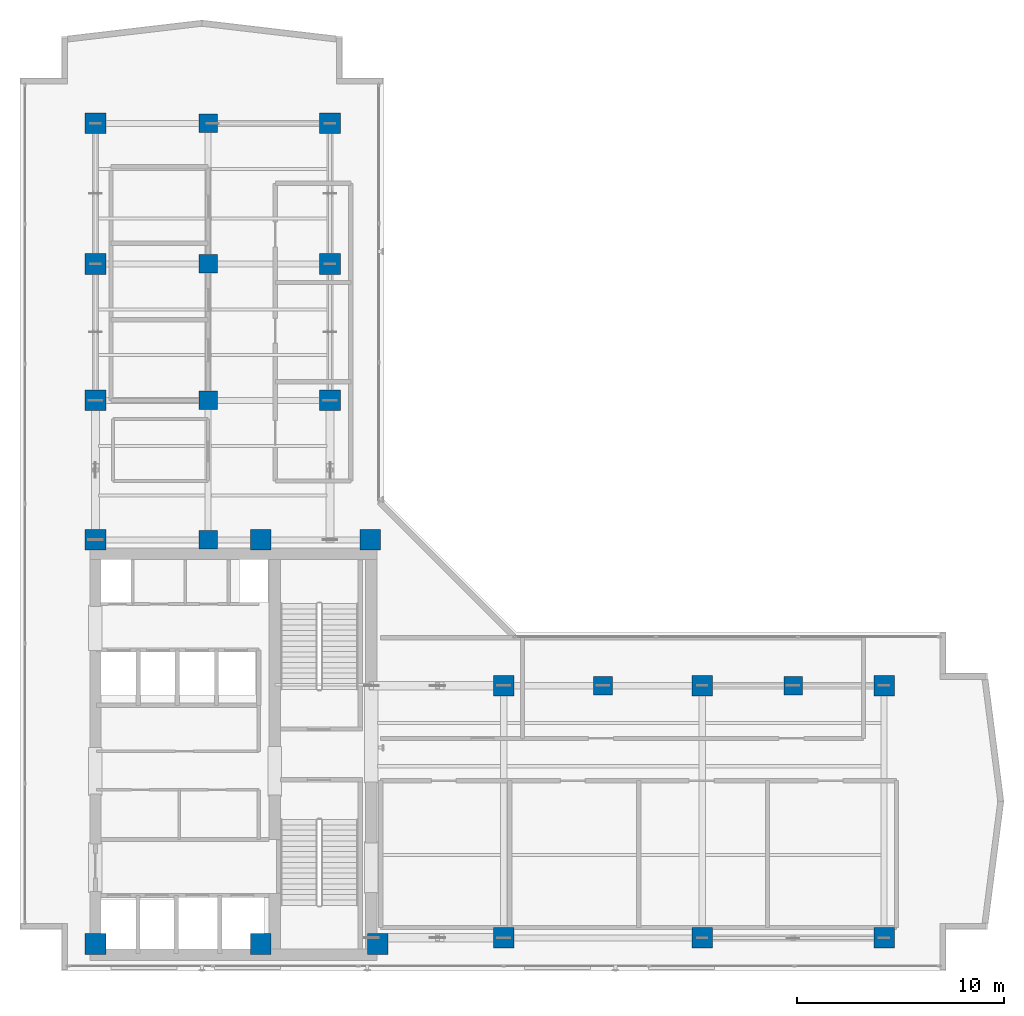
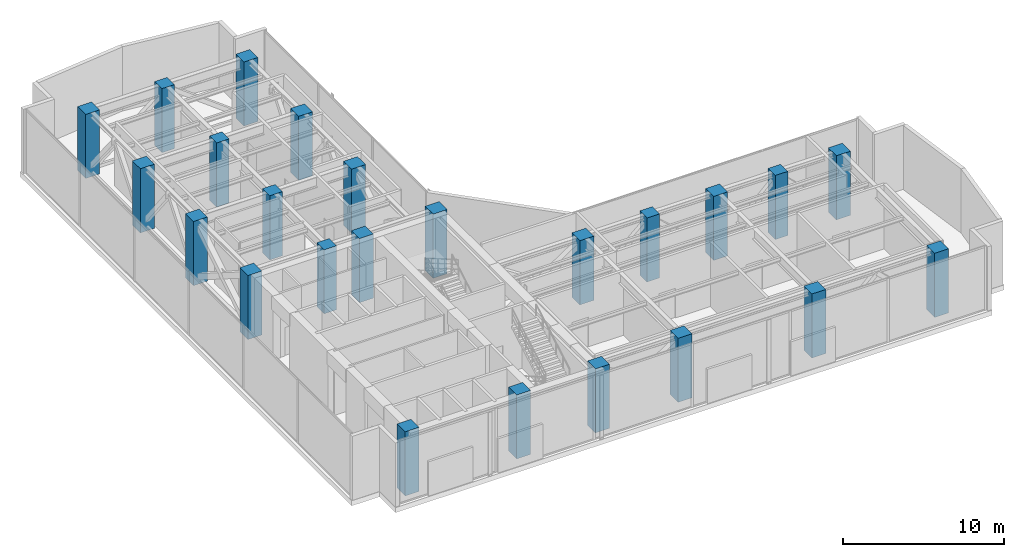
# One storey, part 1 of 31: 24 columns.
"""IFC4 building model written with IfcOpenShell, lengths in metres."""

from ifc_helpers import new_model, si_unit, direction, frame, origin, origin_2d, place, context, subcontext, project, spatial, rectangle, extrude, material, material_profile, profile_set, type_object, element, save


model = new_model("IFC4")

# Units and contexts
model_context = context("Model", 3, precision=1e-05, world=origin(), true_north=direction((0.0, 1.0)))
body_context = subcontext(model_context, "Body", "Model", "MODEL_VIEW")
ifc_project = project(units=[si_unit("LENGTHUNIT", "METRE"), si_unit("AREAUNIT", "SQUARE_METRE"), si_unit("VOLUMEUNIT", "CUBIC_METRE"), si_unit("PLANEANGLEUNIT", "RADIAN"), si_unit("MASSUNIT", "GRAM", prefix="KILO")], contexts=[model_context])

# Site, building, storey
site_placement = place(None, origin())
site = spatial("IfcSite", under=ifc_project, at=site_placement, CompositionType="ELEMENT")
building_placement = place(site_placement, origin())
building = spatial("IfcBuilding", under=site, at=building_placement, Name="Kolvaren Waterfront Exchange", CompositionType="ELEMENT")
storey_placement = place(building_placement, frame((0.0, 0.0, 257.699951171875)))
storey = spatial("IfcBuildingStorey", under=building, at=storey_placement, Name="L66", CompositionType="ELEMENT", Elevation=257.699951171875)

# Columns
ifc_material = material(Name="Concrete C50/60", Category="concrete")
ifc_material_profile_1 = material_profile(ifc_material, rectangle(XDim=1.0, YDim=1.0, at=origin_2d()), Name="RC-COL-1000x1000")
ifc_profile_set_1 = profile_set([ifc_material_profile_1], Name="Concrete C50/60")
column_type_1 = type_object("IfcColumnType", Name="STR-COL-1000-C50", PredefinedType="COLUMN", material=ifc_profile_set_1)
for number, where, z_axis, x_axis, name in (
    (1, (7.449951171875, 4.89990234375, 0.0), (0.0, 0.0, 1.0), (1.0, 0.0, 0.0), "L66 column MC01"),
    (2, (15.449951171875, 4.89990234375, 0.0), (0.0, 0.0, 1.0), (1.0, 0.0, 0.0), "L66 column MC02"),
    (3, (21.10009765625, 4.89990234375, 0.0), (0.0, 0.0, 1.0), (1.0, 0.0, 0.0), "L66 column MC03"),
    (4, (7.449951171875, 24.449951171875, 0.0), (0.0, 0.0, 1.0), (1.0, 0.0, 0.0), "L66 column MC04"),
    (5, (15.449951171875, 24.449951171875, 0.0), (0.0, 0.0, 1.0), (1.0, 0.0, 0.0), "L66 column MC05"),
    (6, (20.75, 24.449951171875, 0.0), (0.0, 0.0, 1.0), (1.0, 0.0, 0.0), "L66 column MC06"),
    (7, (7.449951171875, 31.199951171875, 0.0), (0.0, 0.0, 1.0), (1.0, 0.0, 0.0), "L66 column NC01"),
    (8, (7.449951171875, 37.800048828125, 0.0), (0.0, 0.0, 1.0), (1.0, 0.0, 0.0), "L66 column NC02"),
    (9, (7.449951171875, 44.60009765625, 0.0), (0.0, 0.0, 1.0), (1.0, 0.0, 0.0), "L66 column NC03"),
    (10, (18.800048828125, 31.199951171875, 0.0), (0.0, 0.0, 1.0), (1.0, 0.0, 0.0), "L66 column NC04"),
    (11, (18.800048828125, 37.800048828125, 0.0), (0.0, 0.0, 1.0), (1.0, 0.0, 0.0), "L66 column NC05"),
    (12, (18.800048828125, 44.60009765625, 0.0), (0.0, 0.0, 1.0), (1.0, 0.0, 0.0), "L66 column NC06"),
    (13, (27.199951171875, 5.199951171875, 0.0), (0.0, 0.0, 1.0), (1.0, 0.0, 0.0), "L66 column EC01"),
    (14, (36.800048828125, 5.199951171875, 0.0), (0.0, 0.0, 1.0), (1.0, 0.0, 0.0), "L66 column EC02"),
    (15, (45.60009765625, 5.199951171875, 0.0), (0.0, 0.0, 1.0), (1.0, 0.0, 0.0), "L66 column EC03"),
    (16, (27.199951171875, 17.39990234375, 0.0), (0.0, 0.0, 1.0), (1.0, 0.0, 0.0), "L66 column EC04"),
    (17, (36.800048828125, 17.39990234375, 0.0), (0.0, 0.0, 1.0), (1.0, 0.0, 0.0), "L66 column EC05"),
    (18, (45.60009765625, 17.39990234375, 0.0), (0.0, 0.0, 1.0), (1.0, 0.0, 0.0), "L66 column EC06"),
):
    element("IfcColumn", number, at=place(storey_placement, frame(where, z_axis=z_axis, x_axis=x_axis)), inside=storey, type_object=column_type_1, Name=name, PredefinedType="COLUMN", context=body_context, shape_type="SweptSolid", body=[
        extrude(rectangle(XDim=1.0, YDim=1.0, at=origin_2d()), origin(), (0.0, 0.0, 1.0), 4.860107421875),
    ])
ifc_material_profile_2 = material_profile(ifc_material, rectangle(XDim=0.89990234375, YDim=0.89990234375, at=origin_2d()), Name="RC-COL-900x900")
ifc_profile_set_2 = profile_set([ifc_material_profile_2], Name="Concrete C50/60")
column_type_2 = type_object("IfcColumnType", Name="STR-COL-900-C50", PredefinedType="COLUMN", material=ifc_profile_set_2)
for number, where, z_axis, x_axis, name in (
    (19, (12.89990234375, 24.449951171875, 0.0), (0.0, 0.0, 1.0), (1.0, 0.0, 0.0), "L66 column TC01"),
    (20, (12.89990234375, 31.199951171875, 0.0), (0.0, 0.0, 1.0), (1.0, 0.0, 0.0), "L66 column TC02"),
    (21, (12.89990234375, 37.800048828125, 0.0), (0.0, 0.0, 1.0), (1.0, 0.0, 0.0), "L66 column TC03"),
    (22, (12.89990234375, 44.60009765625, 0.0), (0.0, 0.0, 1.0), (1.0, 0.0, 0.0), "L66 column TC04"),
    (23, (32.0, 17.39990234375, 0.0), (0.0, 0.0, 1.0), (1.0, 0.0, 0.0), "L66 column TC05"),
    (24, (41.199951171875, 17.39990234375, 0.0), (0.0, 0.0, 1.0), (1.0, 0.0, 0.0), "L66 column TC06"),
):
    element("IfcColumn", number, at=place(storey_placement, frame(where, z_axis=z_axis, x_axis=x_axis)), inside=storey, type_object=column_type_2, Name=name, PredefinedType="COLUMN", context=body_context, shape_type="SweptSolid", body=[
        extrude(rectangle(XDim=0.89990234375, YDim=0.89990234375, at=origin_2d()), origin(), (0.0, 0.0, 1.0), 4.860107421875),
    ])

save(model, "model.ifc")
